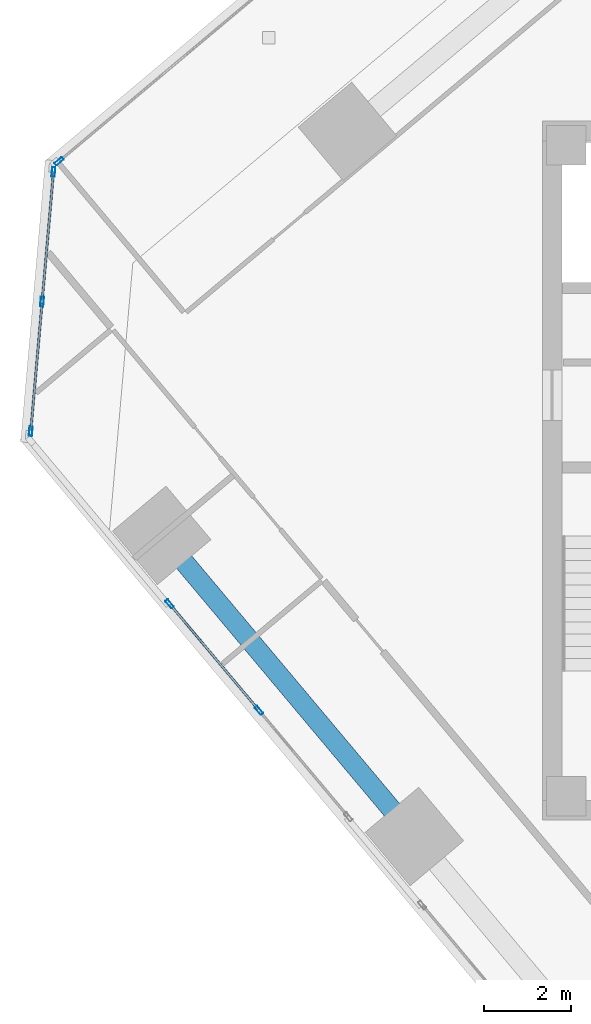
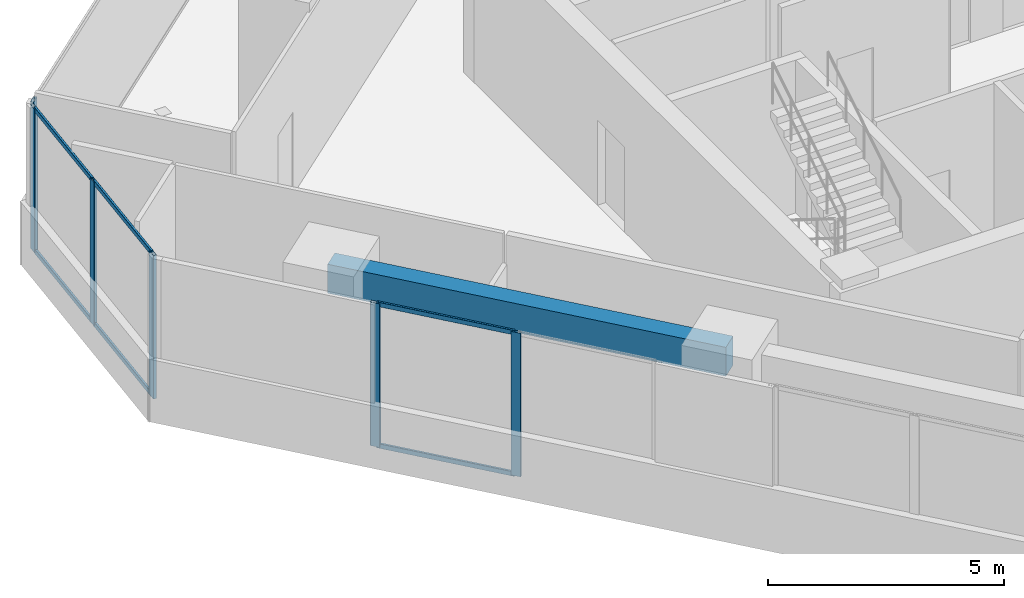
# One storey, part 4 of 17: 12 members, 1 beam, 3 elements without a shape of their own.
"""IFC4 building model written with IfcOpenShell, lengths in metres."""

from ifc_helpers import new_model, si_unit, direction, frame, origin, origin_2d, place, context, subcontext, project, spatial, rectangle, hollow_rectangle, extrude, source, transform, mapped, material, material_profile, profile_set, type_object, element, aggregate, save


model = new_model("IFC4")

# Units and contexts
model_context = context("Model", 3, precision=1e-05, world=origin(), true_north=direction((0.0, 1.0)))
body_context = subcontext(model_context, "Body", "Model", "MODEL_VIEW")
ifc_project = project(units=[si_unit("LENGTHUNIT", "METRE"), si_unit("AREAUNIT", "SQUARE_METRE"), si_unit("VOLUMEUNIT", "CUBIC_METRE"), si_unit("PLANEANGLEUNIT", "RADIAN"), si_unit("MASSUNIT", "GRAM", prefix="KILO")], contexts=[model_context])

# Site, building, storey
site_placement = place(None, origin())
site = spatial("IfcSite", under=ifc_project, at=site_placement, CompositionType="ELEMENT")
building_placement = place(site_placement, origin())
building = spatial("IfcBuilding", under=site, at=building_placement, Name="Torre Montelarca", CompositionType="ELEMENT")
storey_placement = place(building_placement, frame((0.0, 0.0, 266.800048828125)))
storey = spatial("IfcBuildingStorey", under=building, at=storey_placement, Name="L60", CompositionType="ELEMENT", Elevation=266.800048828125)

# Beam
ifc_material_1 = material(Name="Concrete C55/67", Category="concrete")
ifc_material_profile_1 = material_profile(ifc_material_1, rectangle(XDim=0.449951171875, YDim=0.75, at=origin_2d()), Name="RCB450X750", Category="concrete")
ifc_profile_set_1 = profile_set([ifc_material_profile_1], Name="Concrete C55/67")
beam_type = type_object("IfcBeamType", Name="BM-SP-RC750-EXT", PredefinedType="SPANDREL", material=ifc_profile_set_1)
shared_shape_1 = source(origin(), body_context, "Body", "SweptSolid", [
    extrude(rectangle(XDim=0.449951171875, YDim=0.75, at=origin_2d()), origin(), (0.0, 0.0, 1.0), 8.999755859375),
])
beam_placement = place(storey_placement, frame((0.289306640625, 30.51953125, 3.5849609375), z_axis=(0.642782285015, -0.766048911017, 0.0), x_axis=(0.766048911017, 0.642782285015, 0.0)))
element("IfcBeam", 1, at=beam_placement, inside=storey, type_object=beam_type, Name="L60 Grid Girder X 9.0-18.0 at Y=14.8", PredefinedType="SPANDREL", context=body_context, shape_type="MappedRepresentation", body=[
    mapped(shared_shape_1, transform((0.0, 0.0, 0.0), scale=1.0)),
])

# Curtain wall, members
ifc_material_2 = material(Name="Insulated low-E laminated glass", Category="glass")
curtain_wall_type = type_object("IfcCurtainWallType", Name="CW-SYS-Z3", PredefinedType="USERDEFINED", material=ifc_material_2)
curtain_wall_1_placement = place(storey_placement, origin())
curtain_wall_1 = element("IfcCurtainWall", 2, at=curtain_wall_1_placement, inside=storey, type_object=curtain_wall_type, Name="L60 Curtain Wall Run CW-T3-L60-E11-B1", ObjectType="UNITISED GLAZING", PredefinedType="USERDEFINED")
ifc_material_3 = material(Name="Anodised aluminium AA 6063-T6", Category="aluminium")
ifc_material_profile_2 = material_profile(ifc_material_3, hollow_rectangle(XDim=0.054931640625, YDim=0.1201171875, WallThickness=0.00341796875, InnerFilletRadius=0.00341796875, OuterFilletRadius=0.007080078125, at=origin_2d()), Name="ALU55X120X3.5", Category="aluminium")
ifc_profile_set_2 = profile_set([ifc_material_profile_2], Name="Anodised aluminium AA 6063-T6")
member_type_1 = type_object("IfcMemberType", Name="CWT-ALU120", PredefinedType="USERDEFINED", material=ifc_profile_set_2)
shared_shape_2 = source(origin(), body_context, "Body", "SweptSolid", [
    extrude(hollow_rectangle(XDim=0.054931640625, YDim=0.1201171875, WallThickness=0.00341796875, InnerFilletRadius=0.00341796875, OuterFilletRadius=0.007080078125, at=origin_2d()), origin(), (0.0, 0.0, 1.0), 2.903564453125),
])
member_1_placement = place(storey_placement, frame((-2.19189453125, 38.799560546875, 0.02734375), z_axis=(-0.087191982893, -0.996191526826, 0.0), x_axis=(0.996191526826, -0.087191982893, 0.0)))
member_1 = element("IfcMember", 3, at=member_1_placement, type_object=member_type_1, Name="CW transom 1.1", ObjectType="TRANSOM", PredefinedType="USERDEFINED", context=body_context, shape_type="MappedRepresentation", body=[
    mapped(shared_shape_2, transform((0.0, 0.0, 0.0), scale=1.0)),
])
member_2_placement = place(storey_placement, frame((-2.19189453125, 38.799560546875, 3.6923828125), z_axis=(-0.087191982893, -0.996191526826, 0.0), x_axis=(0.996191526826, -0.087191982893, 0.0)))
member_2 = element("IfcMember", 4, at=member_2_placement, type_object=member_type_1, Name="CW transom 1.2", ObjectType="TRANSOM", PredefinedType="USERDEFINED", context=body_context, shape_type="MappedRepresentation", body=[
    mapped(shared_shape_2, transform((0.0, 0.0, 0.0), scale=1.0)),
])
member_3_placement = place(storey_placement, frame((-2.45166015625, 35.832275390625, 0.02734375), z_axis=(-0.087191982893, -0.996191526826, 0.0), x_axis=(0.996191526826, -0.087191982893, 0.0)))
member_3 = element("IfcMember", 5, at=member_3_placement, type_object=member_type_1, Name="CW transom 2.1", ObjectType="TRANSOM", PredefinedType="USERDEFINED", context=body_context, shape_type="MappedRepresentation", body=[
    mapped(shared_shape_2, transform((0.0, 0.0, 0.0), scale=1.0)),
])
member_4_placement = place(storey_placement, frame((-2.45166015625, 35.832275390625, 3.6923828125), z_axis=(-0.087191982893, -0.996191526826, 0.0), x_axis=(0.996191526826, -0.087191982893, 0.0)))
member_4 = element("IfcMember", 6, at=member_4_placement, type_object=member_type_1, Name="CW transom 2.2", ObjectType="TRANSOM", PredefinedType="USERDEFINED", context=body_context, shape_type="MappedRepresentation", body=[
    mapped(shared_shape_2, transform((0.0, 0.0, 0.0), scale=1.0)),
])

curtain_wall_2_placement = place(storey_placement, origin())
curtain_wall_2 = element("IfcCurtainWall", 7, at=curtain_wall_2_placement, inside=storey, type_object=curtain_wall_type, Name="L60 Curtain Wall Run CW-T3-L60-E01-B1", ObjectType="UNITISED GLAZING", PredefinedType="USERDEFINED")
ifc_material_profile_3 = material_profile(ifc_material_3, hollow_rectangle(XDim=0.074951171875, YDim=0.219970703125, WallThickness=0.0048828125, InnerFilletRadius=0.0048828125, OuterFilletRadius=0.010009765625, at=origin_2d()), Name="ALU75X220X5", Category="aluminium")
ifc_profile_set_3 = profile_set([ifc_material_profile_3], Name="Anodised aluminium AA 6063-T6")
member_type_2 = type_object("IfcMemberType", Name="CWM-ALU220", PredefinedType="MULLION", material=ifc_profile_set_3)
shared_shape_3 = source(origin(), body_context, "Body", "SweptSolid", [
    extrude(hollow_rectangle(XDim=0.074951171875, YDim=0.219970703125, WallThickness=0.0048828125, InnerFilletRadius=0.0048828125, OuterFilletRadius=0.010009765625, at=origin_2d()), origin(), (0.0, 0.0, 1.0), 3.719970703125),
])
member_5_placement = place(storey_placement, frame((0.4697265625, 28.951171875, 0.0), z_axis=(0.0, 0.0, 1.0), x_axis=(0.766039106979, 0.642793968997, 0.0)))
member_5 = element("IfcMember", 8, at=member_5_placement, type_object=member_type_2, Name="CW mullion 1", PredefinedType="MULLION", context=body_context, shape_type="MappedRepresentation", body=[
    mapped(shared_shape_3, transform((0.0, 0.0, 0.0), scale=1.0)),
])
member_6_placement = place(storey_placement, frame((2.515380859375, 26.51318359375, 0.0), z_axis=(0.0, 0.0, 1.0), x_axis=(0.766039106979, 0.642793968997, 0.0)))
member_6 = element("IfcMember", 9, at=member_6_placement, type_object=member_type_2, Name="CW mullion 2", PredefinedType="MULLION", context=body_context, shape_type="MappedRepresentation", body=[
    mapped(shared_shape_3, transform((0.0, 0.0, 0.0), scale=1.0)),
])

# Curtain wall, member
curtain_wall_3_placement = place(storey_placement, origin())
curtain_wall_3 = element("IfcCurtainWall", 10, at=curtain_wall_3_placement, inside=storey, type_object=curtain_wall_type, Name="L60 Curtain Wall Run CW-T3-L60-E10-B1", ObjectType="UNITISED GLAZING", PredefinedType="USERDEFINED")
member_7_placement = place(storey_placement, frame((-2.061279296875, 39.08203125, 0.0), z_axis=(0.0, 0.0, 1.0), x_axis=(0.642788408931, -0.766043772472, 0.0)))
member_7 = element("IfcMember", 11, at=member_7_placement, type_object=member_type_2, Name="CW mullion 3", PredefinedType="MULLION", context=body_context, shape_type="MappedRepresentation", body=[
    mapped(shared_shape_3, transform((0.0, 0.0, 0.0), scale=1.0)),
])
aggregate(curtain_wall_3, [member_7])

# Member
member_8_placement = place(storey_placement, frame((-2.188720703125, 38.8369140625, 0.0), z_axis=(0.0, 0.0, 1.0), x_axis=(0.996192349816, -0.087182579501, 0.0)))
member_8 = element("IfcMember", 12, at=member_8_placement, type_object=member_type_2, Name="CW mullion 1", PredefinedType="MULLION", context=body_context, shape_type="MappedRepresentation", body=[
    mapped(shared_shape_3, transform((0.0, 0.0, 0.0), scale=1.0)),
])

member_9_placement = place(storey_placement, frame((-2.4482421875, 35.86962890625, 0.0), z_axis=(0.0, 0.0, 1.0), x_axis=(0.996192349816, -0.087182579501, 0.0)))
member_9 = element("IfcMember", 13, at=member_9_placement, type_object=member_type_2, Name="CW mullion 2", PredefinedType="MULLION", context=body_context, shape_type="MappedRepresentation", body=[
    mapped(shared_shape_3, transform((0.0, 0.0, 0.0), scale=1.0)),
])

member_10_placement = place(storey_placement, frame((-2.7080078125, 32.90234375, 0.0), z_axis=(0.0, 0.0, 1.0), x_axis=(0.996192349816, -0.087182579501, 0.0)))
member_10 = element("IfcMember", 14, at=member_10_placement, type_object=member_type_2, Name="CW mullion 3", PredefinedType="MULLION", context=body_context, shape_type="MappedRepresentation", body=[
    mapped(shared_shape_3, transform((0.0, 0.0, 0.0), scale=1.0)),
])

aggregate(curtain_wall_1, [member_8, member_9, member_10, member_1, member_2, member_3, member_4])

shared_shape_4 = source(origin(), body_context, "Body", "SweptSolid", [
    extrude(hollow_rectangle(XDim=0.054931640625, YDim=0.1201171875, WallThickness=0.00341796875, InnerFilletRadius=0.00341796875, OuterFilletRadius=0.007080078125, at=origin_2d()), origin(), (0.0, 0.0, 1.0), 3.107421875),
])
member_11_placement = place(storey_placement, frame((0.49365234375, 28.92236328125, 0.02734375), z_axis=(0.642823505504, -0.766014321519, 0.0), x_axis=(0.766014321519, 0.642823505504, 0.0)))
member_11 = element("IfcMember", 15, at=member_11_placement, type_object=member_type_1, Name="CW transom 1.1", ObjectType="TRANSOM", PredefinedType="USERDEFINED", context=body_context, shape_type="MappedRepresentation", body=[
    mapped(shared_shape_4, transform((0.0, 0.0, 0.0), scale=1.0)),
])

member_12_placement = place(storey_placement, frame((0.49365234375, 28.92236328125, 3.6923828125), z_axis=(0.642823505504, -0.766014321519, 0.0), x_axis=(0.766014321519, 0.642823505504, 0.0)))
member_12 = element("IfcMember", 16, at=member_12_placement, type_object=member_type_1, Name="CW transom 1.2", ObjectType="TRANSOM", PredefinedType="USERDEFINED", context=body_context, shape_type="MappedRepresentation", body=[
    mapped(shared_shape_4, transform((0.0, 0.0, 0.0), scale=1.0)),
])

aggregate(curtain_wall_2, [member_5, member_6, member_11, member_12])

save(model, "model.ifc")
